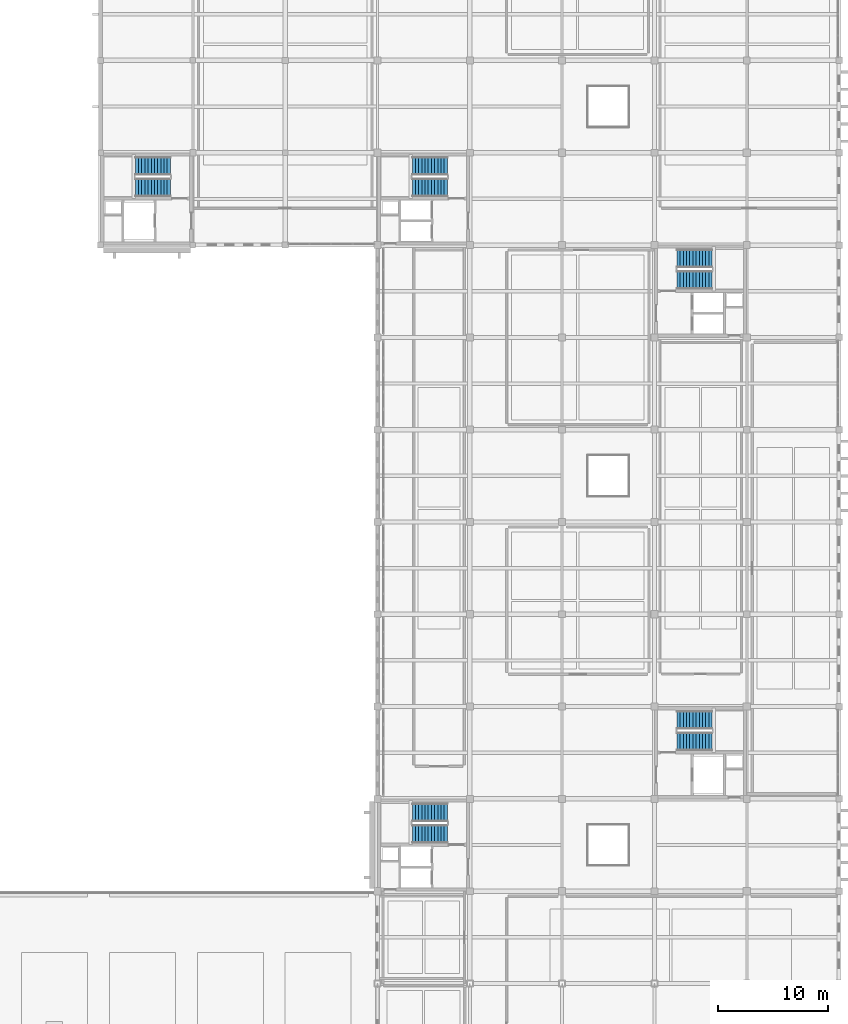
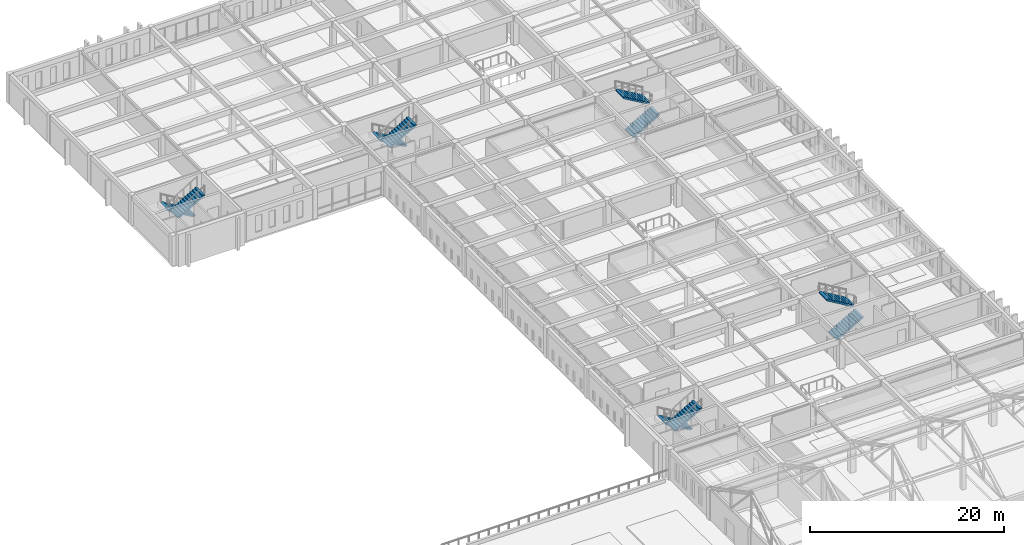
# One storey, part 40 of 47: 10 stair flights, 5 elements without a shape of their own.
"""IFC4 building model written with IfcOpenShell, lengths in metres."""

from ifc_helpers import new_model, si_unit, direction, frame, origin, place, context, subcontext, project, spatial, polyline, outline, extrude, material, type_object, element, aggregate, save


model = new_model("IFC4")

# Units and contexts
model_context = context("Model", 3, precision=1e-05, world=origin(), true_north=direction((0.0, 1.0)))
body_context = subcontext(model_context, "Body", "Model", "MODEL_VIEW")
ifc_project = project(units=[si_unit("LENGTHUNIT", "METRE"), si_unit("AREAUNIT", "SQUARE_METRE"), si_unit("VOLUMEUNIT", "CUBIC_METRE"), si_unit("PLANEANGLEUNIT", "RADIAN"), si_unit("MASSUNIT", "GRAM", prefix="KILO")], contexts=[model_context])

# Site, building, storey
site_placement = place(None, origin())
site = spatial("IfcSite", under=ifc_project, at=site_placement, CompositionType="ELEMENT")
building_placement = place(site_placement, origin())
building = spatial("IfcBuilding", under=site, at=building_placement, Name="Kveldsbrygga Polytechnic", CompositionType="ELEMENT")
storey_placement = place(building_placement, frame((0.0, 0.0, 13.93994140625)))
storey = spatial("IfcBuildingStorey", under=building, at=storey_placement, Name="L03", CompositionType="ELEMENT", Elevation=13.93994140625)

# Stair, stair flights
ifc_material = material(Name="Concrete C35/45", Category="concrete")
stair_type = type_object("IfcStairType", Name="STR-CORE-408", PredefinedType="HALF_TURN_STAIR", material=ifc_material)
stair_1_placement = place(storey_placement, origin())
stair_1 = element("IfcStair", 1, at=stair_1_placement, inside=storey, type_object=stair_type, Name="L03 Core C1 Escape Stair ST-1", PredefinedType="HALF_TURN_STAIR")
stair_flight_type = type_object("IfcStairFlightType", Name="SFL-CORE-12R", PredefinedType="STRAIGHT", material=ifc_material)
stair_flight_1_placement = place(storey_placement, frame((132.35009765625, 32.375, 0.0), z_axis=(0.0, 0.0, 1.0), x_axis=(-1.0, 0.0, 0.0)))
stair_flight_1 = element("IfcStairFlight", 2, at=stair_flight_1_placement, type_object=stair_flight_type, Name="ST-1 flight 1", NumberOfRisers=12, NumberOfTreads=11, PredefinedType="STRAIGHT", RiserHeight=0.17, TreadLength=0.29, context=body_context, shape_type="SweptSolid", body=[
    extrude(outline(polyline([(0.0, 0.0), (0.0, 0.169921875), (0.2900390625, 0.169921875), (0.2900390625, 0.340087890625), (0.580078125, 0.340087890625), (0.580078125, 0.510009765625), (0.8701171875, 0.510009765625), (0.8701171875, 0.679931640625), (1.159912109375, 0.679931640625), (1.159912109375, 0.85009765625), (1.449951171875, 0.85009765625), (1.449951171875, 1.02001953125), (1.739990234375, 1.02001953125), (1.739990234375, 1.18994140625), (2.030029296875, 1.18994140625), (2.030029296875, 1.360107421875), (2.320068359375, 1.360107421875), (2.320068359375, 1.530029296875), (2.610107421875, 1.530029296875), (2.610107421875, 1.699951171875), (2.89990234375, 1.699951171875), (2.89990234375, 1.8701171875), (3.18994140625, 1.8701171875), (3.18994140625, 2.0400390625), (3.18994140625, 1.6845703125), (0.316162109375, 0.0), (0.0, 0.0)])), frame((0.0, 0.824951171875, 0.0), z_axis=(0.0, -1.0, 0.0), x_axis=(1.0, 0.0, 0.0)), (0.0, 0.0, 1.0), 1.64990234375),
])
stair_flight_2_placement = place(storey_placement, frame((129.159912109375, 30.425048828125, 2.0400390625), z_axis=(0.0, 0.0, 1.0), x_axis=(1.0, 0.0, 0.0)))
stair_flight_2 = element("IfcStairFlight", 3, at=stair_flight_2_placement, type_object=stair_flight_type, Name="ST-1 flight 2", NumberOfRisers=12, NumberOfTreads=11, PredefinedType="STRAIGHT", RiserHeight=0.17, TreadLength=0.29, context=body_context, shape_type="SweptSolid", body=[
    extrude(outline(polyline([(0.0, 0.0), (0.0, 0.169921875), (0.2900390625, 0.169921875), (0.2900390625, 0.340087890625), (0.580078125, 0.340087890625), (0.580078125, 0.510009765625), (0.8701171875, 0.510009765625), (0.8701171875, 0.679931640625), (1.159912109375, 0.679931640625), (1.159912109375, 0.85009765625), (1.449951171875, 0.85009765625), (1.449951171875, 1.02001953125), (1.739990234375, 1.02001953125), (1.739990234375, 1.18994140625), (2.030029296875, 1.18994140625), (2.030029296875, 1.360107421875), (2.320068359375, 1.360107421875), (2.320068359375, 1.530029296875), (2.610107421875, 1.530029296875), (2.610107421875, 1.699951171875), (2.89990234375, 1.699951171875), (2.89990234375, 1.8701171875), (3.18994140625, 1.8701171875), (3.18994140625, 2.0400390625), (3.18994140625, 1.6845703125), (0.316162109375, 0.0), (0.0, 0.0)])), frame((0.0, 0.824951171875, 0.0), z_axis=(0.0, -1.0, 0.0), x_axis=(1.0, 0.0, 0.0)), (0.0, 0.0, 1.0), 1.64990234375),
])
aggregate(stair_1, [stair_flight_1, stair_flight_2])

stair_2_placement = place(storey_placement, origin())
stair_2 = element("IfcStair", 4, at=stair_2_placement, inside=storey, type_object=stair_type, Name="L03 Core C2 Escape Stair ST-2", PredefinedType="HALF_TURN_STAIR")
stair_flight_3_placement = place(storey_placement, frame((132.35009765625, 91.175048828125, 0.0), z_axis=(0.0, 0.0, 1.0), x_axis=(-1.0, 0.0, 0.0)))
stair_flight_3 = element("IfcStairFlight", 5, at=stair_flight_3_placement, type_object=stair_flight_type, Name="ST-2 flight 1", NumberOfRisers=12, NumberOfTreads=11, PredefinedType="STRAIGHT", RiserHeight=0.17, TreadLength=0.29, context=body_context, shape_type="SweptSolid", body=[
    extrude(outline(polyline([(0.0, 0.0), (0.0, 0.169921875), (0.2900390625, 0.169921875), (0.2900390625, 0.340087890625), (0.580078125, 0.340087890625), (0.580078125, 0.510009765625), (0.8701171875, 0.510009765625), (0.8701171875, 0.679931640625), (1.159912109375, 0.679931640625), (1.159912109375, 0.85009765625), (1.449951171875, 0.85009765625), (1.449951171875, 1.02001953125), (1.739990234375, 1.02001953125), (1.739990234375, 1.18994140625), (2.030029296875, 1.18994140625), (2.030029296875, 1.360107421875), (2.320068359375, 1.360107421875), (2.320068359375, 1.530029296875), (2.610107421875, 1.530029296875), (2.610107421875, 1.699951171875), (2.89990234375, 1.699951171875), (2.89990234375, 1.8701171875), (3.18994140625, 1.8701171875), (3.18994140625, 2.0400390625), (3.18994140625, 1.6845703125), (0.316162109375, 0.0), (0.0, 0.0)])), frame((0.0, 0.824951171875, 0.0), z_axis=(0.0, -1.0, 0.0), x_axis=(1.0, 0.0, 0.0)), (0.0, 0.0, 1.0), 1.64990234375),
])
stair_flight_4_placement = place(storey_placement, frame((129.159912109375, 89.22509765625, 2.0400390625), z_axis=(0.0, 0.0, 1.0), x_axis=(1.0, 0.0, 0.0)))
stair_flight_4 = element("IfcStairFlight", 6, at=stair_flight_4_placement, type_object=stair_flight_type, Name="ST-2 flight 2", NumberOfRisers=12, NumberOfTreads=11, PredefinedType="STRAIGHT", RiserHeight=0.17, TreadLength=0.29, context=body_context, shape_type="SweptSolid", body=[
    extrude(outline(polyline([(0.0, 0.0), (0.0, 0.169921875), (0.2900390625, 0.169921875), (0.2900390625, 0.340087890625), (0.580078125, 0.340087890625), (0.580078125, 0.510009765625), (0.8701171875, 0.510009765625), (0.8701171875, 0.679931640625), (1.159912109375, 0.679931640625), (1.159912109375, 0.85009765625), (1.449951171875, 0.85009765625), (1.449951171875, 1.02001953125), (1.739990234375, 1.02001953125), (1.739990234375, 1.18994140625), (2.030029296875, 1.18994140625), (2.030029296875, 1.360107421875), (2.320068359375, 1.360107421875), (2.320068359375, 1.530029296875), (2.610107421875, 1.530029296875), (2.610107421875, 1.699951171875), (2.89990234375, 1.699951171875), (2.89990234375, 1.8701171875), (3.18994140625, 1.8701171875), (3.18994140625, 2.0400390625), (3.18994140625, 1.6845703125), (0.316162109375, 0.0), (0.0, 0.0)])), frame((0.0, 0.824951171875, 0.0), z_axis=(0.0, -1.0, 0.0), x_axis=(1.0, 0.0, 0.0)), (0.0, 0.0, 1.0), 1.64990234375),
])
aggregate(stair_2, [stair_flight_3, stair_flight_4])

stair_3_placement = place(storey_placement, origin())
stair_3 = element("IfcStair", 7, at=stair_3_placement, inside=storey, type_object=stair_type, Name="L03 Core C3 Escape Stair ST-3", PredefinedType="HALF_TURN_STAIR")
stair_flight_5_placement = place(storey_placement, frame((153.25, 38.824951171875, 0.0), z_axis=(0.0, 0.0, 1.0), x_axis=(1.0, 0.0, 0.0)))
stair_flight_5 = element("IfcStairFlight", 8, at=stair_flight_5_placement, type_object=stair_flight_type, Name="ST-3 flight 1", NumberOfRisers=12, NumberOfTreads=11, PredefinedType="STRAIGHT", RiserHeight=0.17, TreadLength=0.29, context=body_context, shape_type="SweptSolid", body=[
    extrude(outline(polyline([(0.0, 0.0), (0.0, 0.169921875), (0.2900390625, 0.169921875), (0.2900390625, 0.340087890625), (0.580078125, 0.340087890625), (0.580078125, 0.510009765625), (0.8701171875, 0.510009765625), (0.8701171875, 0.679931640625), (1.159912109375, 0.679931640625), (1.159912109375, 0.85009765625), (1.449951171875, 0.85009765625), (1.449951171875, 1.02001953125), (1.739990234375, 1.02001953125), (1.739990234375, 1.18994140625), (2.030029296875, 1.18994140625), (2.030029296875, 1.360107421875), (2.320068359375, 1.360107421875), (2.320068359375, 1.530029296875), (2.610107421875, 1.530029296875), (2.610107421875, 1.699951171875), (2.89990234375, 1.699951171875), (2.89990234375, 1.8701171875), (3.18994140625, 1.8701171875), (3.18994140625, 2.0400390625), (3.18994140625, 1.6845703125), (0.316162109375, 0.0), (0.0, 0.0)])), frame((0.0, 0.824951171875, 0.0), z_axis=(0.0, -1.0, 0.0), x_axis=(1.0, 0.0, 0.0)), (0.0, 0.0, 1.0), 1.64990234375),
])
stair_flight_6_placement = place(storey_placement, frame((156.43994140625, 40.77490234375, 2.0400390625), z_axis=(0.0, 0.0, 1.0), x_axis=(-1.0, 0.0, 0.0)))
stair_flight_6 = element("IfcStairFlight", 9, at=stair_flight_6_placement, type_object=stair_flight_type, Name="ST-3 flight 2", NumberOfRisers=12, NumberOfTreads=11, PredefinedType="STRAIGHT", RiserHeight=0.17, TreadLength=0.29, context=body_context, shape_type="SweptSolid", body=[
    extrude(outline(polyline([(0.0, 0.0), (0.0, 0.169921875), (0.2900390625, 0.169921875), (0.2900390625, 0.340087890625), (0.580078125, 0.340087890625), (0.580078125, 0.510009765625), (0.8701171875, 0.510009765625), (0.8701171875, 0.679931640625), (1.159912109375, 0.679931640625), (1.159912109375, 0.85009765625), (1.449951171875, 0.85009765625), (1.449951171875, 1.02001953125), (1.739990234375, 1.02001953125), (1.739990234375, 1.18994140625), (2.030029296875, 1.18994140625), (2.030029296875, 1.360107421875), (2.320068359375, 1.360107421875), (2.320068359375, 1.530029296875), (2.610107421875, 1.530029296875), (2.610107421875, 1.699951171875), (2.89990234375, 1.699951171875), (2.89990234375, 1.8701171875), (3.18994140625, 1.8701171875), (3.18994140625, 2.0400390625), (3.18994140625, 1.6845703125), (0.316162109375, 0.0), (0.0, 0.0)])), frame((0.0, 0.824951171875, 0.0), z_axis=(0.0, -1.0, 0.0), x_axis=(1.0, 0.0, 0.0)), (0.0, 0.0, 1.0), 1.64990234375),
])
aggregate(stair_3, [stair_flight_5, stair_flight_6])

stair_4_placement = place(storey_placement, origin())
stair_4 = element("IfcStair", 10, at=stair_4_placement, inside=storey, type_object=stair_type, Name="L03 Core C4 Escape Stair ST-4", PredefinedType="HALF_TURN_STAIR")
stair_flight_7_placement = place(storey_placement, frame((153.25, 80.824951171875, 0.0), z_axis=(0.0, 0.0, 1.0), x_axis=(1.0, 0.0, 0.0)))
stair_flight_7 = element("IfcStairFlight", 11, at=stair_flight_7_placement, type_object=stair_flight_type, Name="ST-4 flight 1", NumberOfRisers=12, NumberOfTreads=11, PredefinedType="STRAIGHT", RiserHeight=0.17, TreadLength=0.29, context=body_context, shape_type="SweptSolid", body=[
    extrude(outline(polyline([(0.0, 0.0), (0.0, 0.169921875), (0.2900390625, 0.169921875), (0.2900390625, 0.340087890625), (0.580078125, 0.340087890625), (0.580078125, 0.510009765625), (0.8701171875, 0.510009765625), (0.8701171875, 0.679931640625), (1.159912109375, 0.679931640625), (1.159912109375, 0.85009765625), (1.449951171875, 0.85009765625), (1.449951171875, 1.02001953125), (1.739990234375, 1.02001953125), (1.739990234375, 1.18994140625), (2.030029296875, 1.18994140625), (2.030029296875, 1.360107421875), (2.320068359375, 1.360107421875), (2.320068359375, 1.530029296875), (2.610107421875, 1.530029296875), (2.610107421875, 1.699951171875), (2.89990234375, 1.699951171875), (2.89990234375, 1.8701171875), (3.18994140625, 1.8701171875), (3.18994140625, 2.0400390625), (3.18994140625, 1.6845703125), (0.316162109375, 0.0), (0.0, 0.0)])), frame((0.0, 0.824951171875, 0.0), z_axis=(0.0, -1.0, 0.0), x_axis=(1.0, 0.0, 0.0)), (0.0, 0.0, 1.0), 1.64990234375),
])
stair_flight_8_placement = place(storey_placement, frame((156.43994140625, 82.77490234375, 2.0400390625), z_axis=(0.0, 0.0, 1.0), x_axis=(-1.0, 0.0, 0.0)))
stair_flight_8 = element("IfcStairFlight", 12, at=stair_flight_8_placement, type_object=stair_flight_type, Name="ST-4 flight 2", NumberOfRisers=12, NumberOfTreads=11, PredefinedType="STRAIGHT", RiserHeight=0.17, TreadLength=0.29, context=body_context, shape_type="SweptSolid", body=[
    extrude(outline(polyline([(0.0, 0.0), (0.0, 0.169921875), (0.2900390625, 0.169921875), (0.2900390625, 0.340087890625), (0.580078125, 0.340087890625), (0.580078125, 0.510009765625), (0.8701171875, 0.510009765625), (0.8701171875, 0.679931640625), (1.159912109375, 0.679931640625), (1.159912109375, 0.85009765625), (1.449951171875, 0.85009765625), (1.449951171875, 1.02001953125), (1.739990234375, 1.02001953125), (1.739990234375, 1.18994140625), (2.030029296875, 1.18994140625), (2.030029296875, 1.360107421875), (2.320068359375, 1.360107421875), (2.320068359375, 1.530029296875), (2.610107421875, 1.530029296875), (2.610107421875, 1.699951171875), (2.89990234375, 1.699951171875), (2.89990234375, 1.8701171875), (3.18994140625, 1.8701171875), (3.18994140625, 2.0400390625), (3.18994140625, 1.6845703125), (0.316162109375, 0.0), (0.0, 0.0)])), frame((0.0, 0.824951171875, 0.0), z_axis=(0.0, -1.0, 0.0), x_axis=(1.0, 0.0, 0.0)), (0.0, 0.0, 1.0), 1.64990234375),
])
aggregate(stair_4, [stair_flight_7, stair_flight_8])

stair_5_placement = place(storey_placement, origin())
stair_5 = element("IfcStair", 13, at=stair_5_placement, inside=storey, type_object=stair_type, Name="L03 Core C5 Escape Stair ST-5", PredefinedType="HALF_TURN_STAIR")
stair_flight_9_placement = place(storey_placement, frame((107.14990234375, 91.175048828125, 0.0), z_axis=(0.0, 0.0, 1.0), x_axis=(-1.0, 0.0, 0.0)))
stair_flight_9 = element("IfcStairFlight", 14, at=stair_flight_9_placement, type_object=stair_flight_type, Name="ST-5 flight 1", NumberOfRisers=12, NumberOfTreads=11, PredefinedType="STRAIGHT", RiserHeight=0.17, TreadLength=0.29, context=body_context, shape_type="SweptSolid", body=[
    extrude(outline(polyline([(0.0, 0.0), (0.0, 0.169921875), (0.2900390625, 0.169921875), (0.2900390625, 0.340087890625), (0.580078125, 0.340087890625), (0.580078125, 0.510009765625), (0.8701171875, 0.510009765625), (0.8701171875, 0.679931640625), (1.159912109375, 0.679931640625), (1.159912109375, 0.85009765625), (1.449951171875, 0.85009765625), (1.449951171875, 1.02001953125), (1.739990234375, 1.02001953125), (1.739990234375, 1.18994140625), (2.030029296875, 1.18994140625), (2.030029296875, 1.360107421875), (2.320068359375, 1.360107421875), (2.320068359375, 1.530029296875), (2.610107421875, 1.530029296875), (2.610107421875, 1.699951171875), (2.89990234375, 1.699951171875), (2.89990234375, 1.8701171875), (3.18994140625, 1.8701171875), (3.18994140625, 2.0400390625), (3.18994140625, 1.6845703125), (0.316162109375, 0.0), (0.0, 0.0)])), frame((0.0, 0.824951171875, 0.0), z_axis=(0.0, -1.0, 0.0), x_axis=(1.0, 0.0, 0.0)), (0.0, 0.0, 1.0), 1.64990234375),
])
stair_flight_10_placement = place(storey_placement, frame((103.9599609375, 89.22509765625, 2.0400390625), z_axis=(0.0, 0.0, 1.0), x_axis=(1.0, 0.0, 0.0)))
stair_flight_10 = element("IfcStairFlight", 15, at=stair_flight_10_placement, type_object=stair_flight_type, Name="ST-5 flight 2", NumberOfRisers=12, NumberOfTreads=11, PredefinedType="STRAIGHT", RiserHeight=0.17, TreadLength=0.29, context=body_context, shape_type="SweptSolid", body=[
    extrude(outline(polyline([(0.0, 0.0), (0.0, 0.169921875), (0.2900390625, 0.169921875), (0.2900390625, 0.340087890625), (0.580078125, 0.340087890625), (0.580078125, 0.510009765625), (0.8701171875, 0.510009765625), (0.8701171875, 0.679931640625), (1.159912109375, 0.679931640625), (1.159912109375, 0.85009765625), (1.449951171875, 0.85009765625), (1.449951171875, 1.02001953125), (1.739990234375, 1.02001953125), (1.739990234375, 1.18994140625), (2.030029296875, 1.18994140625), (2.030029296875, 1.360107421875), (2.320068359375, 1.360107421875), (2.320068359375, 1.530029296875), (2.610107421875, 1.530029296875), (2.610107421875, 1.699951171875), (2.89990234375, 1.699951171875), (2.89990234375, 1.8701171875), (3.18994140625, 1.8701171875), (3.18994140625, 2.0400390625), (3.18994140625, 1.6845703125), (0.316162109375, 0.0), (0.0, 0.0)])), frame((0.0, 0.824951171875, 0.0), z_axis=(0.0, -1.0, 0.0), x_axis=(1.0, 0.0, 0.0)), (0.0, 0.0, 1.0), 1.64990234375),
])
aggregate(stair_5, [stair_flight_9, stair_flight_10])

save(model, "model.ifc")
